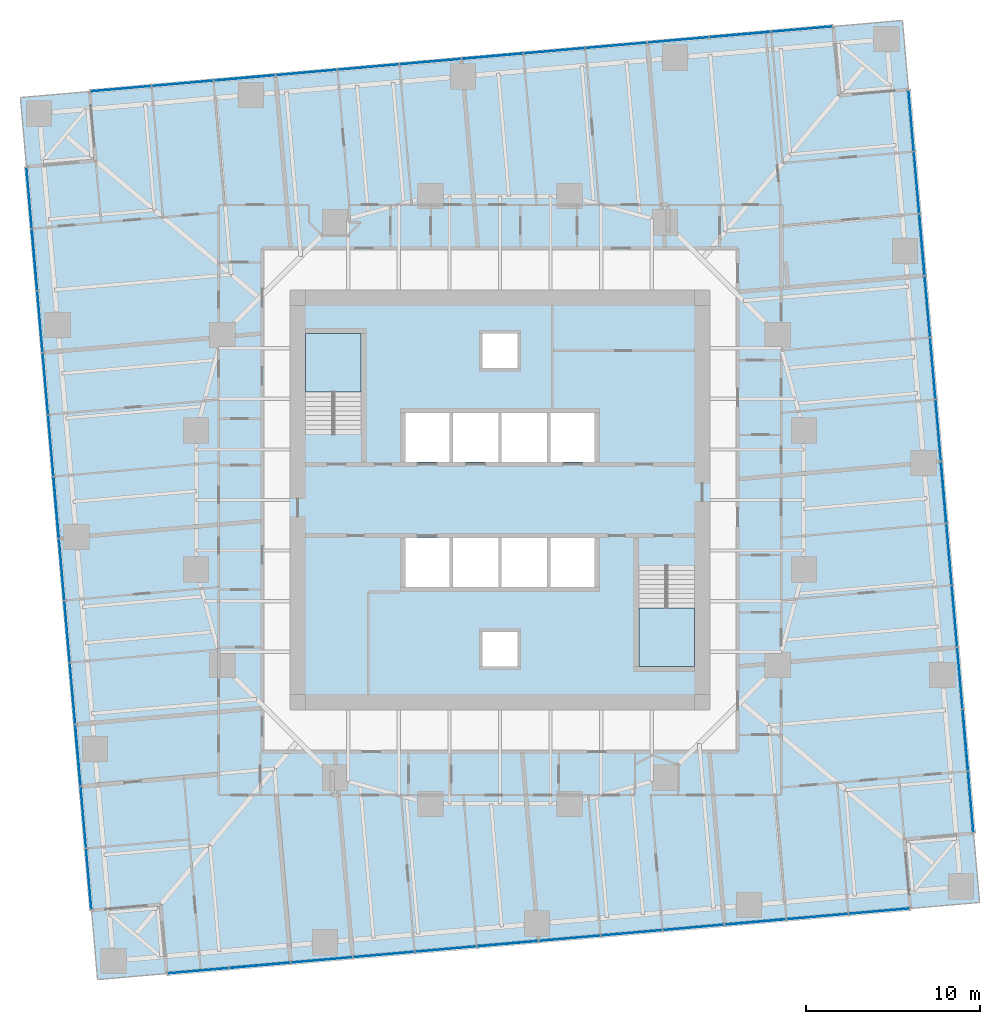
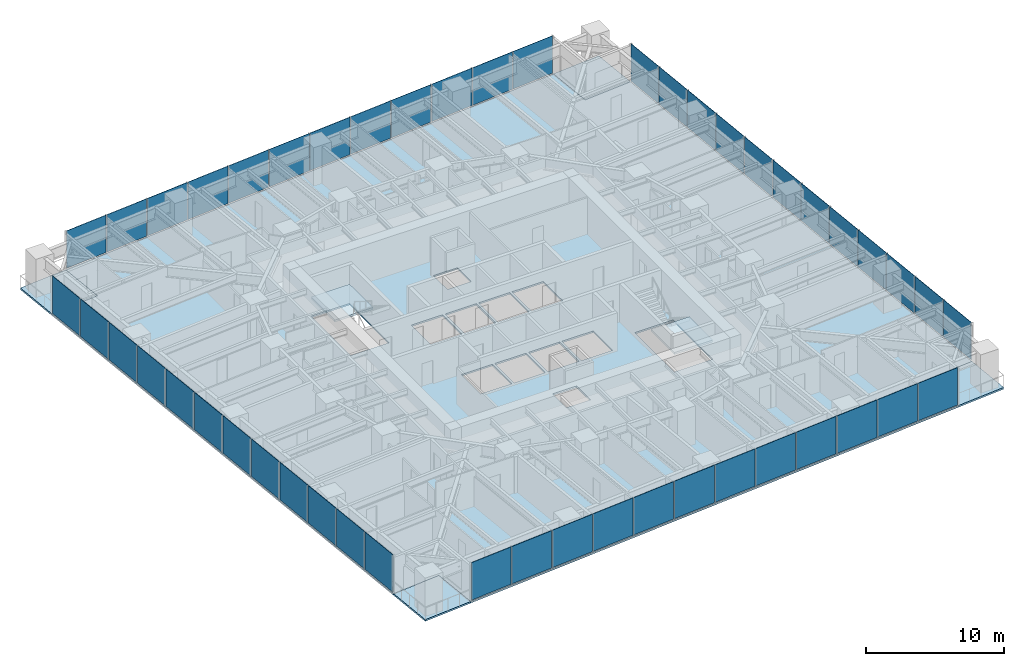
# One storey, part 7 of 14: 48 plates, 7 slabs, 6 elements without a shape of their own.
"""IFC4 building model written with IfcOpenShell, lengths in metres."""

import ifcopenshell
import ifcopenshell.guid

model = None  # the IFC model being written
_history = None  # IfcOwnerHistory: only IFC2X3 demands one
_inside = {}  # id of a spatial element -> (the spatial element, [elements in it])
_under = {}  # id of a project, library or spatial element -> (it, [spatial elements below it])
_declared = {}  # id of a project -> (the project, [libraries it declares])
_typed = {}  # id of a type object -> (the type object, [elements of that type])
_made_of = {}  # id of a material, layer set ... -> (it, [elements and type objects made of it])


def new_model(schema):
    """Start an empty IFC model of exactly this schema.

    Asked for "IFC4X3", IfcOpenShell would pick the latest addendum, in which some entities
    have other attributes; the version numbers below select the first issue.
    IFC2X3 requires an IfcOwnerHistory on every rooted entity: one is made here for all.
    """
    global model, _history
    if schema == "IFC4X3":
        model = ifcopenshell.file(schema_version=(4, 3, 0, 0))
    else:
        model = ifcopenshell.file(schema=schema)
    _inside.clear()
    _under.clear()
    _declared.clear()
    _typed.clear()
    _made_of.clear()
    _history = None
    if model.schema == "IFC2X3":
        org = make("IfcOrganization", Name="unknown")
        user = make(
            "IfcPersonAndOrganization",
            ThePerson=make("IfcPerson", FamilyName="unknown"),
            TheOrganization=org,
        )
        app = make(
            "IfcApplication",
            ApplicationDeveloper=org,
            Version="unknown",
            ApplicationFullName="unknown",
            ApplicationIdentifier="unknown",
        )
        _history = make(
            "IfcOwnerHistory",
            OwningUser=user,
            OwningApplication=app,
            ChangeAction="ADDED",
            CreationDate=0,
        )
    return model


def make(cls, **values):
    """One entity of the class cls with the attributes given. An attribute that is None is left unset."""
    return model.create_entity(
        cls, **{name: value for name, value in values.items() if value is not None}
    )


def rooted(cls, **values):
    """An entity with a GlobalId (a new one), such as an element, a storey or a relation."""
    return make(cls, GlobalId=ifcopenshell.guid.new(), OwnerHistory=_history, **values)


def si_unit(unit_type, name, prefix=None):
    """IfcSIUnit, for example si_unit("LENGTHUNIT", "METRE", prefix="MILLI")."""
    return make("IfcSIUnit", UnitType=unit_type, Prefix=prefix, Name=name)


def assignment(units):
    """IfcUnitAssignment: the units of a project."""
    return None if units is None else make("IfcUnitAssignment", Units=units)


def point(xyz):
    """IfcCartesianPoint."""
    return None if xyz is None else make("IfcCartesianPoint", Coordinates=xyz)


def direction(xyz):
    """IfcDirection."""
    return None if xyz is None else make("IfcDirection", DirectionRatios=xyz)


def frame(location, z_axis=None, x_axis=None):
    """IfcAxis2Placement3D, a coordinate frame: its origin and axes. An axis left out is left unset."""
    return make(
        "IfcAxis2Placement3D",
        Location=point(location),
        Axis=direction(z_axis),
        RefDirection=direction(x_axis),
    )


def frame_2d(location, x_axis=None):
    """IfcAxis2Placement2D, a coordinate frame in the plane: its origin and x axis."""
    return make(
        "IfcAxis2Placement2D", Location=point(location), RefDirection=direction(x_axis)
    )


def origin():
    """The frame at (0, 0, 0) with its axes left unset."""
    return frame((0.0, 0.0, 0.0))


def origin_2d():
    """The frame at (0, 0) in the plane with its x axis left unset."""
    return frame_2d((0.0, 0.0))


def place(relative_to, where):
    """IfcLocalPlacement: puts the frame where relative to a parent placement (None: the world)."""
    return make(
        "IfcLocalPlacement", PlacementRelTo=relative_to, RelativePlacement=where
    )


def context(
    kind, dimensions, precision=None, world=None, true_north=None, identifier=None
):
    """IfcGeometricRepresentationContext, for example the 3D "Model" context."""
    return make(
        "IfcGeometricRepresentationContext",
        ContextIdentifier=identifier,
        ContextType=kind,
        CoordinateSpaceDimension=dimensions,
        Precision=precision,
        WorldCoordinateSystem=world,
        TrueNorth=true_north,
    )


def subcontext(parent, identifier, kind, view, scale=None):
    """IfcGeometricRepresentationSubContext, for example "Body" below "Model"."""
    return make(
        "IfcGeometricRepresentationSubContext",
        ContextIdentifier=identifier,
        ContextType=kind,
        ParentContext=parent,
        TargetScale=scale,
        TargetView=view,
    )


def project(units=None, contexts=None):
    """IfcProject with its units and contexts."""
    return rooted(
        "IfcProject",
        Name="project",
        RepresentationContexts=contexts,
        UnitsInContext=assignment(units),
    )


def spatial(cls, under=None, at=None, **own):
    """A site, building, storey or space (cls), placed at a placement, below another one or the project."""
    s = rooted(cls, ObjectPlacement=at, **own)
    if under is not None:
        _under.setdefault(under.id(), (under, []))[1].append(s)
    return s


def polyline(points):
    """IfcPolyline through the points."""
    return make("IfcPolyline", Points=[point(p) for p in points])


def profile(cls, at=None, kind="AREA", **sizes):
    """A parametric profile (cls). Its sizes go by their IFC names, for example OverallWidth=200.0."""
    return make(cls, ProfileType=kind, Position=at, **sizes)


def rectangle(**sizes):
    """IfcRectangleProfileDef."""
    return profile("IfcRectangleProfileDef", **sizes)


def outline(outer, holes=None, kind="AREA"):
    """IfcArbitraryClosedProfileDef: a profile drawn as a closed curve; with holes, ...WithVoids."""
    if holes is None:
        return make("IfcArbitraryClosedProfileDef", ProfileType=kind, OuterCurve=outer)
    return make(
        "IfcArbitraryProfileDefWithVoids",
        ProfileType=kind,
        OuterCurve=outer,
        InnerCurves=holes,
    )


def extrude(swept, where, along, depth):
    """IfcExtrudedAreaSolid: the profile swept, set in the frame where, extruded along a direction by depth."""
    return make(
        "IfcExtrudedAreaSolid",
        SweptArea=swept,
        Position=where,
        ExtrudedDirection=direction(along),
        Depth=depth,
    )


def shape(context_of_items, identifier, shape_type, items):
    """IfcShapeRepresentation: the items that make up one representation, for example the "Body"."""
    return make(
        "IfcShapeRepresentation",
        ContextOfItems=context_of_items,
        RepresentationIdentifier=identifier,
        RepresentationType=shape_type,
        Items=items,
    )


def material(Name=None, Category=None):
    """IfcMaterial."""
    return make("IfcMaterial", Name=Name, Category=Category)


def layer(
    of_material, thickness, ventilated=None, Name=None, Category=None, Priority=None
):
    """IfcMaterialLayer: one layer of a wall or slab, of a material (None: an air gap)."""
    return make(
        "IfcMaterialLayer",
        Material=of_material,
        LayerThickness=thickness,
        IsVentilated=ventilated,
        Name=Name,
        Category=Category,
        Priority=Priority,
    )


def layer_set(layers, Name=None):
    """IfcMaterialLayerSet."""
    return make("IfcMaterialLayerSet", MaterialLayers=layers, LayerSetName=Name)


def made_of(thing, what):
    """Note that an element or type object is made of a material, layer set ...; save() writes the relation."""
    if what is not None:
        _made_of.setdefault(what.id(), (what, []))[1].append(thing)
    return thing


def type_object(cls, material=None, **own):
    """A type object (cls), such as IfcWallType, which elements share."""
    return made_of(rooted(cls, **own), material)


def element(
    cls,
    number,
    at=None,
    inside=None,
    cuts=None,
    type_object=None,
    material=None,
    context=None,
    identifier="Body",
    shape_type=None,
    held_by="IfcProductDefinitionShape",
    body=None,
    shapes=None,
    **own,
):
    """One element of the class cls, such as IfcWall. Its Tag is "e" and its number.

    at: its placement. inside: the storey or other place that contains it. cuts: it is an
    opening in that element (IfcRelVoidsElement). A single representation is given by context,
    identifier, shape_type and body (its items); several are given by shapes. held_by: the class
    of the entity that holds the representations. save() writes the other relations.
    """
    e = rooted(cls, Tag="e%d" % number, ObjectPlacement=at, **own)
    if body is not None:
        shapes = [shape(context, identifier, shape_type, body)]
    if shapes is not None:
        e.Representation = make(held_by, Representations=shapes)
    if inside is not None:
        _inside.setdefault(inside.id(), (inside, []))[1].append(e)
    if cuts is not None:
        rooted(
            "IfcRelVoidsElement", RelatingBuildingElement=cuts, RelatedOpeningElement=e
        )
    if type_object is not None:
        _typed.setdefault(type_object.id(), (type_object, []))[1].append(e)
    return made_of(e, material)


def aggregate(whole, parts):
    """IfcRelAggregates: a whole, such as a stair, and the parts it consists of."""
    return rooted("IfcRelAggregates", RelatingObject=whole, RelatedObjects=parts)


def save(model, path):
    """Write the relations noted so far, then the file.

    IfcRelAggregates (storeys below a building ...), IfcRelContainedInSpatialStructure (elements
    in a storey), IfcRelDefinesByType, IfcRelAssociatesMaterial and IfcRelDeclares: one each for
    every whole, place, type object, material and project.
    """
    for whole, parts in _under.values():
        aggregate(whole, parts)
    for where, things in _inside.values():
        rooted(
            "IfcRelContainedInSpatialStructure",
            RelatedElements=things,
            RelatingStructure=where,
        )
    for kind, things in _typed.values():
        rooted("IfcRelDefinesByType", RelatedObjects=things, RelatingType=kind)
    for what, things in _made_of.values():
        rooted("IfcRelAssociatesMaterial", RelatedObjects=things, RelatingMaterial=what)
    for by, libraries in _declared.values():
        rooted("IfcRelDeclares", RelatingContext=by, RelatedDefinitions=libraries)
    model.write(path)


model = new_model("IFC4")

# Units and contexts
model_context = context("Model", 3, precision=1e-05, world=origin(), true_north=direction((0.0, 1.0)))
body_context = subcontext(model_context, "Body", "Model", "MODEL_VIEW")
ifc_project = project(units=[si_unit("LENGTHUNIT", "METRE"), si_unit("AREAUNIT", "SQUARE_METRE"), si_unit("VOLUMEUNIT", "CUBIC_METRE"), si_unit("PLANEANGLEUNIT", "RADIAN"), si_unit("MASSUNIT", "GRAM", prefix="KILO")], contexts=[model_context])

# Site, building, storey
site_placement = place(None, origin())
site = spatial("IfcSite", under=ifc_project, at=site_placement, CompositionType="ELEMENT")
building_placement = place(site_placement, origin())
building = spatial("IfcBuilding", under=site, at=building_placement, Name="Torsade Residences", CompositionType="ELEMENT")
storey_placement = place(building_placement, frame((0.0, 0.0, 64.199951171875)))
storey = spatial("IfcBuildingStorey", under=building, at=storey_placement, Name="L17", CompositionType="ELEMENT", Elevation=64.199951171875)

# Slab
ifc_material_1 = material(Name="Concrete 40 MPa", Category="concrete")
ifc_layer_1 = layer(ifc_material_1, 0.14990234375)
ifc_layer_set_1 = layer_set([ifc_layer_1], Name="Concrete 40 MPa")
slab_type_1 = type_object("IfcSlabType", Name="COMPOSITE FLOOR SLAB 150", PredefinedType="FLOOR", material=ifc_layer_set_1)
slab_1_placement = place(storey_placement, frame((0.0, 0.0, -0.14990234375)))
element("IfcSlab", 1, at=slab_1_placement, inside=storey, type_object=slab_type_1, Name="Floor slab L17", PredefinedType="FLOOR", context=body_context, shape_type="SweptSolid", body=[
    extrude(outline(polyline([(20.80419921875, 2.72314453125), (63.640625, 6.470947265625), (63.2919921875, 10.45556640625), (67.27685546875, 10.80419921875), (63.529052734375, 53.640625), (59.54443359375, 53.2919921875), (59.19580078125, 57.27685546875), (16.359375, 53.529052734375), (16.7080078125, 49.54443359375), (12.72314453125, 49.19580078125), (16.470947265625, 6.359375), (20.45556640625, 6.7080078125), (20.80419921875, 2.72314453125)]), holes=[polyline([(51.199951171875, 20.39990234375), (51.199951171875, 26.1201171875), (48.0, 26.1201171875), (48.0, 20.39990234375), (51.199951171875, 20.39990234375)]), polyline([(45.5, 27.800048828125), (42.89990234375, 27.800048828125), (42.89990234375, 25.0), (45.5, 25.0), (45.5, 27.800048828125)]), polyline([(45.5, 32.199951171875), (45.5, 35.0), (42.89990234375, 35.0), (42.89990234375, 32.199951171875), (45.5, 32.199951171875)]), polyline([(42.699951171875, 25.0), (42.699951171875, 27.800048828125), (40.10009765625, 27.800048828125), (40.10009765625, 25.0), (42.699951171875, 25.0)]), polyline([(42.699951171875, 32.199951171875), (42.699951171875, 35.0), (40.10009765625, 35.0), (40.10009765625, 32.199951171875), (42.699951171875, 32.199951171875)]), polyline([(41.0, 22.39990234375), (39.0, 22.39990234375), (39.0, 20.39990234375), (41.0, 20.39990234375), (41.0, 22.39990234375)]), polyline([(41.0, 37.60009765625), (41.0, 39.60009765625), (39.0, 39.60009765625), (39.0, 37.60009765625), (41.0, 37.60009765625)]), polyline([(39.89990234375, 25.0), (39.89990234375, 27.800048828125), (37.300048828125, 27.800048828125), (37.300048828125, 25.0), (39.89990234375, 25.0)]), polyline([(39.89990234375, 35.0), (37.300048828125, 35.0), (37.300048828125, 32.199951171875), (39.89990234375, 32.199951171875), (39.89990234375, 35.0)]), polyline([(37.10009765625, 27.800048828125), (34.5, 27.800048828125), (34.5, 25.0), (37.10009765625, 25.0), (37.10009765625, 27.800048828125)]), polyline([(37.10009765625, 32.199951171875), (37.10009765625, 35.0), (34.5, 35.0), (34.5, 32.199951171875), (37.10009765625, 32.199951171875)]), polyline([(32.0, 33.8798828125), (32.0, 39.60009765625), (28.800048828125, 39.60009765625), (28.800048828125, 33.8798828125), (32.0, 33.8798828125)])]), origin(), (0.0, 0.0, 1.0), 0.14990234375),
])

# Curtain wall, plates
ifc_material_2 = material(Name="Aluminium and glass", Category="aluminium")
curtain_wall_type = type_object("IfcCurtainWallType", Name="FRITTED GLASS CURTAIN WALL LOW ZONE", PredefinedType="NOTDEFINED", material=ifc_material_2)
curtain_wall_1_placement = place(storey_placement, origin())
curtain_wall_1 = element("IfcCurtainWall", 2, at=curtain_wall_1_placement, inside=storey, type_object=curtain_wall_type, Name="Curtain wall L17 face 1", PredefinedType="NOTDEFINED")
ifc_material_3 = material(Name="Laminated glass", Category="glass")
ifc_layer_2 = layer(ifc_material_3, 0.031982421875)
ifc_layer_set_2 = layer_set([ifc_layer_2], Name="Laminated glass")
plate_type_1 = type_object("IfcPlateType", Name="FRITTED GLASS PANEL", PredefinedType="CURTAIN_PANEL", material=ifc_layer_set_2)
plate_1_placement = place(storey_placement, frame((22.605224609375, 2.880859375, 0.10009765625), z_axis=(0.0, 0.0, 1.0), x_axis=(0.996194697964, 0.087155744208, 0.0)))
plate_1 = element("IfcPlate", 3, at=plate_1_placement, type_object=plate_type_1, Name="Panel 1", PredefinedType="CURTAIN_PANEL", context=body_context, shape_type="SweptSolid", body=[
    extrude(rectangle(XDim=3.48583984375, YDim=0.031982421875, at=origin_2d()), origin(), (0.0, 0.0, 1.0), 3.300048828125),
])
plate_2_placement = place(storey_placement, frame((29.728515625, 3.50390625, 0.10009765625), z_axis=(0.0, 0.0, 1.0), x_axis=(0.996194697964, 0.087155744208, 0.0)))
plate_2 = element("IfcPlate", 4, at=plate_2_placement, type_object=plate_type_1, Name="Panel 3", PredefinedType="CURTAIN_PANEL", context=body_context, shape_type="SweptSolid", body=[
    extrude(rectangle(XDim=3.518310546875, YDim=0.031982421875, at=origin_2d()), origin(), (0.0, 0.0, 1.0), 3.300048828125),
])
plate_3_placement = place(storey_placement, frame((33.29833984375, 3.816162109375, 0.10009765625), z_axis=(0.0, 0.0, 1.0), x_axis=(0.996194697964, 0.087155744208, 0.0)))
plate_3 = element("IfcPlate", 5, at=plate_3_placement, type_object=plate_type_1, Name="Panel 4", PredefinedType="CURTAIN_PANEL", context=body_context, shape_type="SweptSolid", body=[
    extrude(rectangle(XDim=3.518310546875, YDim=0.031982421875, at=origin_2d()), origin(), (0.0, 0.0, 1.0), 3.300048828125),
])
plate_4_placement = place(storey_placement, frame((36.867919921875, 4.128662109375, 0.10009765625), z_axis=(0.0, 0.0, 1.0), x_axis=(0.996194697964, 0.087155744208, 0.0)))
plate_4 = element("IfcPlate", 6, at=plate_4_placement, type_object=plate_type_1, Name="Panel 5", PredefinedType="CURTAIN_PANEL", context=body_context, shape_type="SweptSolid", body=[
    extrude(rectangle(XDim=3.518310546875, YDim=0.031982421875, at=origin_2d()), origin(), (0.0, 0.0, 1.0), 3.300048828125),
])
plate_5_placement = place(storey_placement, frame((44.00732421875, 4.753173828125, 0.10009765625), z_axis=(0.0, 0.0, 1.0), x_axis=(0.996194697964, 0.087155744208, 0.0)))
plate_5 = element("IfcPlate", 7, at=plate_5_placement, type_object=plate_type_1, Name="Panel 7", PredefinedType="CURTAIN_PANEL", context=body_context, shape_type="SweptSolid", body=[
    extrude(rectangle(XDim=3.518310546875, YDim=0.031982421875, at=origin_2d()), origin(), (0.0, 0.0, 1.0), 3.300048828125),
])
plate_6_placement = place(storey_placement, frame((47.576904296875, 5.0654296875, 0.10009765625), z_axis=(0.0, 0.0, 1.0), x_axis=(0.996194697964, 0.087155744208, 0.0)))
plate_6 = element("IfcPlate", 8, at=plate_6_placement, type_object=plate_type_1, Name="Panel 8", PredefinedType="CURTAIN_PANEL", context=body_context, shape_type="SweptSolid", body=[
    extrude(rectangle(XDim=3.518310546875, YDim=0.031982421875, at=origin_2d()), origin(), (0.0, 0.0, 1.0), 3.300048828125),
])
plate_7_placement = place(storey_placement, frame((51.146728515625, 5.377685546875, 0.10009765625), z_axis=(0.0, 0.0, 1.0), x_axis=(0.996194697964, 0.087155744208, 0.0)))
plate_7 = element("IfcPlate", 9, at=plate_7_placement, type_object=plate_type_1, Name="Panel 9", PredefinedType="CURTAIN_PANEL", context=body_context, shape_type="SweptSolid", body=[
    extrude(rectangle(XDim=3.518310546875, YDim=0.031982421875, at=origin_2d()), origin(), (0.0, 0.0, 1.0), 3.300048828125),
])
plate_8_placement = place(storey_placement, frame((58.2861328125, 6.00244140625, 0.10009765625), z_axis=(0.0, 0.0, 1.0), x_axis=(0.996194697964, 0.087155744208, 0.0)))
plate_8 = element("IfcPlate", 10, at=plate_8_placement, type_object=plate_type_1, Name="Panel 11", PredefinedType="CURTAIN_PANEL", context=body_context, shape_type="SweptSolid", body=[
    extrude(rectangle(XDim=3.518310546875, YDim=0.031982421875, at=origin_2d()), origin(), (0.0, 0.0, 1.0), 3.300048828125),
])
plate_9_placement = place(storey_placement, frame((61.839599609375, 6.313232421875, 0.10009765625), z_axis=(0.0, 0.0, 1.0), x_axis=(0.996194697964, 0.087155744208, 0.0)))
plate_9 = element("IfcPlate", 11, at=plate_9_placement, type_object=plate_type_1, Name="Panel 12", PredefinedType="CURTAIN_PANEL", context=body_context, shape_type="SweptSolid", body=[
    extrude(rectangle(XDim=3.48583984375, YDim=0.031982421875, at=origin_2d()), origin(), (0.0, 0.0, 1.0), 3.300048828125),
])

curtain_wall_2_placement = place(storey_placement, origin())
curtain_wall_2 = element("IfcCurtainWall", 12, at=curtain_wall_2_placement, inside=storey, type_object=curtain_wall_type, Name="Curtain wall L17 face 4", PredefinedType="NOTDEFINED")
plate_10_placement = place(storey_placement, frame((67.119140625, 12.605224609375, 0.10009765625), z_axis=(0.0, 0.0, 1.0), x_axis=(-0.087155744208, 0.996194697964, 0.0)))
plate_10 = element("IfcPlate", 13, at=plate_10_placement, type_object=plate_type_1, Name="Panel 1", PredefinedType="CURTAIN_PANEL", context=body_context, shape_type="SweptSolid", body=[
    extrude(rectangle(XDim=3.48583984375, YDim=0.031982421875, at=origin_2d()), origin(), (0.0, 0.0, 1.0), 3.300048828125),
])
plate_11_placement = place(storey_placement, frame((66.49609375, 19.728515625, 0.10009765625), z_axis=(0.0, 0.0, 1.0), x_axis=(-0.087155744208, 0.996194697964, 0.0)))
plate_11 = element("IfcPlate", 14, at=plate_11_placement, type_object=plate_type_1, Name="Panel 3", PredefinedType="CURTAIN_PANEL", context=body_context, shape_type="SweptSolid", body=[
    extrude(rectangle(XDim=3.518310546875, YDim=0.031982421875, at=origin_2d()), origin(), (0.0, 0.0, 1.0), 3.300048828125),
])
plate_12_placement = place(storey_placement, frame((66.183837890625, 23.29833984375, 0.10009765625), z_axis=(0.0, 0.0, 1.0), x_axis=(-0.087155744208, 0.996194697964, 0.0)))
plate_12 = element("IfcPlate", 15, at=plate_12_placement, type_object=plate_type_1, Name="Panel 4", PredefinedType="CURTAIN_PANEL", context=body_context, shape_type="SweptSolid", body=[
    extrude(rectangle(XDim=3.518310546875, YDim=0.031982421875, at=origin_2d()), origin(), (0.0, 0.0, 1.0), 3.300048828125),
])
plate_13_placement = place(storey_placement, frame((65.871337890625, 26.867919921875, 0.10009765625), z_axis=(0.0, 0.0, 1.0), x_axis=(-0.087155744208, 0.996194697964, 0.0)))
plate_13 = element("IfcPlate", 16, at=plate_13_placement, type_object=plate_type_1, Name="Panel 5", PredefinedType="CURTAIN_PANEL", context=body_context, shape_type="SweptSolid", body=[
    extrude(rectangle(XDim=3.518310546875, YDim=0.031982421875, at=origin_2d()), origin(), (0.0, 0.0, 1.0), 3.300048828125),
])
plate_14_placement = place(storey_placement, frame((65.246826171875, 34.00732421875, 0.10009765625), z_axis=(0.0, 0.0, 1.0), x_axis=(-0.087155744208, 0.996194697964, 0.0)))
plate_14 = element("IfcPlate", 17, at=plate_14_placement, type_object=plate_type_1, Name="Panel 7", PredefinedType="CURTAIN_PANEL", context=body_context, shape_type="SweptSolid", body=[
    extrude(rectangle(XDim=3.518310546875, YDim=0.031982421875, at=origin_2d()), origin(), (0.0, 0.0, 1.0), 3.300048828125),
])
plate_15_placement = place(storey_placement, frame((64.9345703125, 37.576904296875, 0.10009765625), z_axis=(0.0, 0.0, 1.0), x_axis=(-0.087155744208, 0.996194697964, 0.0)))
plate_15 = element("IfcPlate", 18, at=plate_15_placement, type_object=plate_type_1, Name="Panel 8", PredefinedType="CURTAIN_PANEL", context=body_context, shape_type="SweptSolid", body=[
    extrude(rectangle(XDim=3.518310546875, YDim=0.031982421875, at=origin_2d()), origin(), (0.0, 0.0, 1.0), 3.300048828125),
])
plate_16_placement = place(storey_placement, frame((64.622314453125, 41.146728515625, 0.10009765625), z_axis=(0.0, 0.0, 1.0), x_axis=(-0.087155744208, 0.996194697964, 0.0)))
plate_16 = element("IfcPlate", 19, at=plate_16_placement, type_object=plate_type_1, Name="Panel 9", PredefinedType="CURTAIN_PANEL", context=body_context, shape_type="SweptSolid", body=[
    extrude(rectangle(XDim=3.518310546875, YDim=0.031982421875, at=origin_2d()), origin(), (0.0, 0.0, 1.0), 3.300048828125),
])
plate_17_placement = place(storey_placement, frame((63.99755859375, 48.2861328125, 0.10009765625), z_axis=(0.0, 0.0, 1.0), x_axis=(-0.087155744208, 0.996194697964, 0.0)))
plate_17 = element("IfcPlate", 20, at=plate_17_placement, type_object=plate_type_1, Name="Panel 11", PredefinedType="CURTAIN_PANEL", context=body_context, shape_type="SweptSolid", body=[
    extrude(rectangle(XDim=3.518310546875, YDim=0.031982421875, at=origin_2d()), origin(), (0.0, 0.0, 1.0), 3.300048828125),
])
plate_18_placement = place(storey_placement, frame((63.686767578125, 51.839599609375, 0.10009765625), z_axis=(0.0, 0.0, 1.0), x_axis=(-0.087155744208, 0.996194697964, 0.0)))
plate_18 = element("IfcPlate", 21, at=plate_18_placement, type_object=plate_type_1, Name="Panel 12", PredefinedType="CURTAIN_PANEL", context=body_context, shape_type="SweptSolid", body=[
    extrude(rectangle(XDim=3.48583984375, YDim=0.031982421875, at=origin_2d()), origin(), (0.0, 0.0, 1.0), 3.300048828125),
])

curtain_wall_3_placement = place(storey_placement, origin())
curtain_wall_3 = element("IfcCurtainWall", 22, at=curtain_wall_3_placement, inside=storey, type_object=curtain_wall_type, Name="Curtain wall L17 face 7", PredefinedType="NOTDEFINED")
plate_19_placement = place(storey_placement, frame((57.394775390625, 57.119140625, 0.10009765625), z_axis=(0.0, 0.0, 1.0), x_axis=(-0.996194697964, -0.087155744208, 0.0)))
plate_19 = element("IfcPlate", 23, at=plate_19_placement, type_object=plate_type_1, Name="Panel 1", PredefinedType="CURTAIN_PANEL", context=body_context, shape_type="SweptSolid", body=[
    extrude(rectangle(XDim=3.48583984375, YDim=0.031982421875, at=origin_2d()), origin(), (0.0, 0.0, 1.0), 3.300048828125),
])
plate_20_placement = place(storey_placement, frame((50.271484375, 56.49609375, 0.10009765625), z_axis=(0.0, 0.0, 1.0), x_axis=(-0.996194697964, -0.087155744208, 0.0)))
plate_20 = element("IfcPlate", 24, at=plate_20_placement, type_object=plate_type_1, Name="Panel 3", PredefinedType="CURTAIN_PANEL", context=body_context, shape_type="SweptSolid", body=[
    extrude(rectangle(XDim=3.518310546875, YDim=0.031982421875, at=origin_2d()), origin(), (0.0, 0.0, 1.0), 3.300048828125),
])
plate_21_placement = place(storey_placement, frame((46.70166015625, 56.183837890625, 0.10009765625), z_axis=(0.0, 0.0, 1.0), x_axis=(-0.996194697964, -0.087155744208, 0.0)))
plate_21 = element("IfcPlate", 25, at=plate_21_placement, type_object=plate_type_1, Name="Panel 4", PredefinedType="CURTAIN_PANEL", context=body_context, shape_type="SweptSolid", body=[
    extrude(rectangle(XDim=3.518310546875, YDim=0.031982421875, at=origin_2d()), origin(), (0.0, 0.0, 1.0), 3.300048828125),
])
plate_22_placement = place(storey_placement, frame((43.132080078125, 55.871337890625, 0.10009765625), z_axis=(0.0, 0.0, 1.0), x_axis=(-0.996194697964, -0.087155744208, 0.0)))
plate_22 = element("IfcPlate", 26, at=plate_22_placement, type_object=plate_type_1, Name="Panel 5", PredefinedType="CURTAIN_PANEL", context=body_context, shape_type="SweptSolid", body=[
    extrude(rectangle(XDim=3.518310546875, YDim=0.031982421875, at=origin_2d()), origin(), (0.0, 0.0, 1.0), 3.300048828125),
])
plate_23_placement = place(storey_placement, frame((35.99267578125, 55.246826171875, 0.10009765625), z_axis=(0.0, 0.0, 1.0), x_axis=(-0.996194697964, -0.087155744208, 0.0)))
plate_23 = element("IfcPlate", 27, at=plate_23_placement, type_object=plate_type_1, Name="Panel 7", PredefinedType="CURTAIN_PANEL", context=body_context, shape_type="SweptSolid", body=[
    extrude(rectangle(XDim=3.518310546875, YDim=0.031982421875, at=origin_2d()), origin(), (0.0, 0.0, 1.0), 3.300048828125),
])
plate_24_placement = place(storey_placement, frame((32.423095703125, 54.9345703125, 0.10009765625), z_axis=(0.0, 0.0, 1.0), x_axis=(-0.996194697964, -0.087155744208, 0.0)))
plate_24 = element("IfcPlate", 28, at=plate_24_placement, type_object=plate_type_1, Name="Panel 8", PredefinedType="CURTAIN_PANEL", context=body_context, shape_type="SweptSolid", body=[
    extrude(rectangle(XDim=3.518310546875, YDim=0.031982421875, at=origin_2d()), origin(), (0.0, 0.0, 1.0), 3.300048828125),
])
plate_25_placement = place(storey_placement, frame((28.853271484375, 54.622314453125, 0.10009765625), z_axis=(0.0, 0.0, 1.0), x_axis=(-0.996194697964, -0.087155744208, 0.0)))
plate_25 = element("IfcPlate", 29, at=plate_25_placement, type_object=plate_type_1, Name="Panel 9", PredefinedType="CURTAIN_PANEL", context=body_context, shape_type="SweptSolid", body=[
    extrude(rectangle(XDim=3.518310546875, YDim=0.031982421875, at=origin_2d()), origin(), (0.0, 0.0, 1.0), 3.300048828125),
])
plate_26_placement = place(storey_placement, frame((21.7138671875, 53.99755859375, 0.10009765625), z_axis=(0.0, 0.0, 1.0), x_axis=(-0.996194697964, -0.087155744208, 0.0)))
plate_26 = element("IfcPlate", 30, at=plate_26_placement, type_object=plate_type_1, Name="Panel 11", PredefinedType="CURTAIN_PANEL", context=body_context, shape_type="SweptSolid", body=[
    extrude(rectangle(XDim=3.518310546875, YDim=0.031982421875, at=origin_2d()), origin(), (0.0, 0.0, 1.0), 3.300048828125),
])
plate_27_placement = place(storey_placement, frame((18.160400390625, 53.686767578125, 0.10009765625), z_axis=(0.0, 0.0, 1.0), x_axis=(-0.996194697964, -0.087155744208, 0.0)))
plate_27 = element("IfcPlate", 31, at=plate_27_placement, type_object=plate_type_1, Name="Panel 12", PredefinedType="CURTAIN_PANEL", context=body_context, shape_type="SweptSolid", body=[
    extrude(rectangle(XDim=3.48583984375, YDim=0.031982421875, at=origin_2d()), origin(), (0.0, 0.0, 1.0), 3.300048828125),
])

curtain_wall_4_placement = place(storey_placement, origin())
curtain_wall_4 = element("IfcCurtainWall", 32, at=curtain_wall_4_placement, inside=storey, type_object=curtain_wall_type, Name="Curtain wall L17 face 10", PredefinedType="NOTDEFINED")
plate_28_placement = place(storey_placement, frame((12.880859375, 47.394775390625, 0.10009765625), z_axis=(0.0, 0.0, 1.0), x_axis=(0.087155744208, -0.996194697964, 0.0)))
plate_28 = element("IfcPlate", 33, at=plate_28_placement, type_object=plate_type_1, Name="Panel 1", PredefinedType="CURTAIN_PANEL", context=body_context, shape_type="SweptSolid", body=[
    extrude(rectangle(XDim=3.48583984375, YDim=0.031982421875, at=origin_2d()), origin(), (0.0, 0.0, 1.0), 3.300048828125),
])
plate_29_placement = place(storey_placement, frame((13.50390625, 40.271484375, 0.10009765625), z_axis=(0.0, 0.0, 1.0), x_axis=(0.087155744208, -0.996194697964, 0.0)))
plate_29 = element("IfcPlate", 34, at=plate_29_placement, type_object=plate_type_1, Name="Panel 3", PredefinedType="CURTAIN_PANEL", context=body_context, shape_type="SweptSolid", body=[
    extrude(rectangle(XDim=3.518310546875, YDim=0.031982421875, at=origin_2d()), origin(), (0.0, 0.0, 1.0), 3.300048828125),
])
plate_30_placement = place(storey_placement, frame((13.816162109375, 36.70166015625, 0.10009765625), z_axis=(0.0, 0.0, 1.0), x_axis=(0.087155744208, -0.996194697964, 0.0)))
plate_30 = element("IfcPlate", 35, at=plate_30_placement, type_object=plate_type_1, Name="Panel 4", PredefinedType="CURTAIN_PANEL", context=body_context, shape_type="SweptSolid", body=[
    extrude(rectangle(XDim=3.518310546875, YDim=0.031982421875, at=origin_2d()), origin(), (0.0, 0.0, 1.0), 3.300048828125),
])
plate_31_placement = place(storey_placement, frame((14.128662109375, 33.132080078125, 0.10009765625), z_axis=(0.0, 0.0, 1.0), x_axis=(0.087155744208, -0.996194697964, 0.0)))
plate_31 = element("IfcPlate", 36, at=plate_31_placement, type_object=plate_type_1, Name="Panel 5", PredefinedType="CURTAIN_PANEL", context=body_context, shape_type="SweptSolid", body=[
    extrude(rectangle(XDim=3.518310546875, YDim=0.031982421875, at=origin_2d()), origin(), (0.0, 0.0, 1.0), 3.300048828125),
])
plate_32_placement = place(storey_placement, frame((14.753173828125, 25.99267578125, 0.10009765625), z_axis=(0.0, 0.0, 1.0), x_axis=(0.087155744208, -0.996194697964, 0.0)))
plate_32 = element("IfcPlate", 37, at=plate_32_placement, type_object=plate_type_1, Name="Panel 7", PredefinedType="CURTAIN_PANEL", context=body_context, shape_type="SweptSolid", body=[
    extrude(rectangle(XDim=3.518310546875, YDim=0.031982421875, at=origin_2d()), origin(), (0.0, 0.0, 1.0), 3.300048828125),
])
plate_33_placement = place(storey_placement, frame((15.0654296875, 22.423095703125, 0.10009765625), z_axis=(0.0, 0.0, 1.0), x_axis=(0.087155744208, -0.996194697964, 0.0)))
plate_33 = element("IfcPlate", 38, at=plate_33_placement, type_object=plate_type_1, Name="Panel 8", PredefinedType="CURTAIN_PANEL", context=body_context, shape_type="SweptSolid", body=[
    extrude(rectangle(XDim=3.518310546875, YDim=0.031982421875, at=origin_2d()), origin(), (0.0, 0.0, 1.0), 3.300048828125),
])
plate_34_placement = place(storey_placement, frame((15.377685546875, 18.853271484375, 0.10009765625), z_axis=(0.0, 0.0, 1.0), x_axis=(0.087155744208, -0.996194697964, 0.0)))
plate_34 = element("IfcPlate", 39, at=plate_34_placement, type_object=plate_type_1, Name="Panel 9", PredefinedType="CURTAIN_PANEL", context=body_context, shape_type="SweptSolid", body=[
    extrude(rectangle(XDim=3.518310546875, YDim=0.031982421875, at=origin_2d()), origin(), (0.0, 0.0, 1.0), 3.300048828125),
])
plate_35_placement = place(storey_placement, frame((16.00244140625, 11.7138671875, 0.10009765625), z_axis=(0.0, 0.0, 1.0), x_axis=(0.087155744208, -0.996194697964, 0.0)))
plate_35 = element("IfcPlate", 40, at=plate_35_placement, type_object=plate_type_1, Name="Panel 11", PredefinedType="CURTAIN_PANEL", context=body_context, shape_type="SweptSolid", body=[
    extrude(rectangle(XDim=3.518310546875, YDim=0.031982421875, at=origin_2d()), origin(), (0.0, 0.0, 1.0), 3.300048828125),
])
plate_36_placement = place(storey_placement, frame((16.313232421875, 8.160400390625, 0.10009765625), z_axis=(0.0, 0.0, 1.0), x_axis=(0.087155744208, -0.996194697964, 0.0)))
plate_36 = element("IfcPlate", 41, at=plate_36_placement, type_object=plate_type_1, Name="Panel 12", PredefinedType="CURTAIN_PANEL", context=body_context, shape_type="SweptSolid", body=[
    extrude(rectangle(XDim=3.48583984375, YDim=0.031982421875, at=origin_2d()), origin(), (0.0, 0.0, 1.0), 3.300048828125),
])

# Plate
ifc_material_4 = material(Name="Laminated glass", Category="glass")
ifc_layer_3 = layer(ifc_material_4, 0.0400390625)
ifc_layer_set_3 = layer_set([ifc_layer_3], Name="Laminated glass")
plate_type_2 = type_object("IfcPlateType", Name="OPERABLE VENT PANEL", PredefinedType="CURTAIN_PANEL", material=ifc_layer_set_3)
plate_37_placement = place(storey_placement, frame((26.158935546875, 3.191650390625, 0.10009765625), z_axis=(0.0, 0.0, 1.0), x_axis=(0.996194697964, 0.087155744208, 0.0)))
plate_37 = element("IfcPlate", 42, at=plate_37_placement, type_object=plate_type_2, Name="Panel 2", PredefinedType="CURTAIN_PANEL", context=body_context, shape_type="SweptSolid", body=[
    extrude(rectangle(XDim=3.518310546875, YDim=0.0400390625, at=origin_2d()), origin(), (0.0, 0.0, 1.0), 3.300048828125),
])

plate_38_placement = place(storey_placement, frame((40.437744140625, 4.44091796875, 0.10009765625), z_axis=(0.0, 0.0, 1.0), x_axis=(0.996194697964, 0.087155744208, 0.0)))
plate_38 = element("IfcPlate", 43, at=plate_38_placement, type_object=plate_type_2, Name="Panel 6", PredefinedType="CURTAIN_PANEL", context=body_context, shape_type="SweptSolid", body=[
    extrude(rectangle(XDim=3.518310546875, YDim=0.0400390625, at=origin_2d()), origin(), (0.0, 0.0, 1.0), 3.300048828125),
])

plate_39_placement = place(storey_placement, frame((54.71630859375, 5.690185546875, 0.10009765625), z_axis=(0.0, 0.0, 1.0), x_axis=(0.996194697964, 0.087155744208, 0.0)))
plate_39 = element("IfcPlate", 44, at=plate_39_placement, type_object=plate_type_2, Name="Panel 10", PredefinedType="CURTAIN_PANEL", context=body_context, shape_type="SweptSolid", body=[
    extrude(rectangle(XDim=3.518310546875, YDim=0.0400390625, at=origin_2d()), origin(), (0.0, 0.0, 1.0), 3.300048828125),
])

aggregate(curtain_wall_1, [plate_1, plate_37, plate_2, plate_3, plate_4, plate_38, plate_5, plate_6, plate_7, plate_39, plate_8, plate_9])

plate_40_placement = place(storey_placement, frame((66.808349609375, 16.158935546875, 0.10009765625), z_axis=(0.0, 0.0, 1.0), x_axis=(-0.087155744208, 0.996194697964, 0.0)))
plate_40 = element("IfcPlate", 45, at=plate_40_placement, type_object=plate_type_2, Name="Panel 2", PredefinedType="CURTAIN_PANEL", context=body_context, shape_type="SweptSolid", body=[
    extrude(rectangle(XDim=3.518310546875, YDim=0.0400390625, at=origin_2d()), origin(), (0.0, 0.0, 1.0), 3.300048828125),
])

plate_41_placement = place(storey_placement, frame((65.55908203125, 30.437744140625, 0.10009765625), z_axis=(0.0, 0.0, 1.0), x_axis=(-0.087155744208, 0.996194697964, 0.0)))
plate_41 = element("IfcPlate", 46, at=plate_41_placement, type_object=plate_type_2, Name="Panel 6", PredefinedType="CURTAIN_PANEL", context=body_context, shape_type="SweptSolid", body=[
    extrude(rectangle(XDim=3.518310546875, YDim=0.0400390625, at=origin_2d()), origin(), (0.0, 0.0, 1.0), 3.300048828125),
])

plate_42_placement = place(storey_placement, frame((64.309814453125, 44.71630859375, 0.10009765625), z_axis=(0.0, 0.0, 1.0), x_axis=(-0.087155744208, 0.996194697964, 0.0)))
plate_42 = element("IfcPlate", 47, at=plate_42_placement, type_object=plate_type_2, Name="Panel 10", PredefinedType="CURTAIN_PANEL", context=body_context, shape_type="SweptSolid", body=[
    extrude(rectangle(XDim=3.518310546875, YDim=0.0400390625, at=origin_2d()), origin(), (0.0, 0.0, 1.0), 3.300048828125),
])

aggregate(curtain_wall_2, [plate_10, plate_40, plate_11, plate_12, plate_13, plate_41, plate_14, plate_15, plate_16, plate_42, plate_17, plate_18])

plate_43_placement = place(storey_placement, frame((53.841064453125, 56.808349609375, 0.10009765625), z_axis=(0.0, 0.0, 1.0), x_axis=(-0.996194697964, -0.087155744208, 0.0)))
plate_43 = element("IfcPlate", 48, at=plate_43_placement, type_object=plate_type_2, Name="Panel 2", PredefinedType="CURTAIN_PANEL", context=body_context, shape_type="SweptSolid", body=[
    extrude(rectangle(XDim=3.518310546875, YDim=0.0400390625, at=origin_2d()), origin(), (0.0, 0.0, 1.0), 3.300048828125),
])

plate_44_placement = place(storey_placement, frame((39.562255859375, 55.55908203125, 0.10009765625), z_axis=(0.0, 0.0, 1.0), x_axis=(-0.996194697964, -0.087155744208, 0.0)))
plate_44 = element("IfcPlate", 49, at=plate_44_placement, type_object=plate_type_2, Name="Panel 6", PredefinedType="CURTAIN_PANEL", context=body_context, shape_type="SweptSolid", body=[
    extrude(rectangle(XDim=3.518310546875, YDim=0.0400390625, at=origin_2d()), origin(), (0.0, 0.0, 1.0), 3.300048828125),
])

plate_45_placement = place(storey_placement, frame((25.28369140625, 54.309814453125, 0.10009765625), z_axis=(0.0, 0.0, 1.0), x_axis=(-0.996194697964, -0.087155744208, 0.0)))
plate_45 = element("IfcPlate", 50, at=plate_45_placement, type_object=plate_type_2, Name="Panel 10", PredefinedType="CURTAIN_PANEL", context=body_context, shape_type="SweptSolid", body=[
    extrude(rectangle(XDim=3.518310546875, YDim=0.0400390625, at=origin_2d()), origin(), (0.0, 0.0, 1.0), 3.300048828125),
])

aggregate(curtain_wall_3, [plate_19, plate_43, plate_20, plate_21, plate_22, plate_44, plate_23, plate_24, plate_25, plate_45, plate_26, plate_27])

plate_46_placement = place(storey_placement, frame((13.191650390625, 43.841064453125, 0.10009765625), z_axis=(0.0, 0.0, 1.0), x_axis=(0.087155744208, -0.996194697964, 0.0)))
plate_46 = element("IfcPlate", 51, at=plate_46_placement, type_object=plate_type_2, Name="Panel 2", PredefinedType="CURTAIN_PANEL", context=body_context, shape_type="SweptSolid", body=[
    extrude(rectangle(XDim=3.518310546875, YDim=0.0400390625, at=origin_2d()), origin(), (0.0, 0.0, 1.0), 3.300048828125),
])

plate_47_placement = place(storey_placement, frame((14.44091796875, 29.562255859375, 0.10009765625), z_axis=(0.0, 0.0, 1.0), x_axis=(0.087155744208, -0.996194697964, 0.0)))
plate_47 = element("IfcPlate", 52, at=plate_47_placement, type_object=plate_type_2, Name="Panel 6", PredefinedType="CURTAIN_PANEL", context=body_context, shape_type="SweptSolid", body=[
    extrude(rectangle(XDim=3.518310546875, YDim=0.0400390625, at=origin_2d()), origin(), (0.0, 0.0, 1.0), 3.300048828125),
])

plate_48_placement = place(storey_placement, frame((15.690185546875, 15.28369140625, 0.10009765625), z_axis=(0.0, 0.0, 1.0), x_axis=(0.087155744208, -0.996194697964, 0.0)))
plate_48 = element("IfcPlate", 53, at=plate_48_placement, type_object=plate_type_2, Name="Panel 10", PredefinedType="CURTAIN_PANEL", context=body_context, shape_type="SweptSolid", body=[
    extrude(rectangle(XDim=3.518310546875, YDim=0.0400390625, at=origin_2d()), origin(), (0.0, 0.0, 1.0), 3.300048828125),
])

aggregate(curtain_wall_4, [plate_28, plate_46, plate_29, plate_30, plate_31, plate_47, plate_32, plate_33, plate_34, plate_48, plate_35, plate_36])

# Stair, slab
ifc_material_5 = material(Name="Precast concrete 40 MPa", Category="concrete")
stair_type = type_object("IfcStairType", Name="HALF-TURN FIRE STAIR 1500x3400", PredefinedType="HALF_TURN_STAIR", material=ifc_material_5)
stair_1_placement = place(storey_placement, origin())
stair_1 = element("IfcStair", 54, at=stair_1_placement, inside=storey, type_object=stair_type, Name="Stair ST1 L17", PredefinedType="HALF_TURN_STAIR")
ifc_material_6 = material(Name="Precast concrete 40 MPa", Category="concrete")
ifc_layer_4 = layer(ifc_material_6, 0.179931640625)
ifc_layer_set_4 = layer_set([ifc_layer_4], Name="Precast concrete 40 MPa")
slab_type_2 = type_object("IfcSlabType", Name="PRECAST STAIR LANDING 180", PredefinedType="LANDING", material=ifc_layer_set_4)
slab_2_placement = place(storey_placement, frame((0.0, 0.0, 1.52001953125)))
slab_2 = element("IfcSlab", 55, at=slab_2_placement, type_object=slab_type_2, Name="ST1 landing 1", PredefinedType="LANDING", context=body_context, shape_type="SweptSolid", body=[
    extrude(outline(polyline([(28.800048828125, 36.2099609375), (32.0, 36.2099609375), (32.0, 39.60009765625), (28.800048828125, 39.60009765625), (28.800048828125, 36.2099609375)])), origin(), (0.0, 0.0, 1.0), 0.179931640625),
])
aggregate(stair_1, [slab_2])

stair_2_placement = place(storey_placement, origin())
stair_2 = element("IfcStair", 56, at=stair_2_placement, inside=storey, type_object=stair_type, Name="Stair ST2 L17", PredefinedType="HALF_TURN_STAIR")
slab_3_placement = place(storey_placement, frame((0.0, 0.0, 1.52001953125)))
slab_3 = element("IfcSlab", 57, at=slab_3_placement, type_object=slab_type_2, Name="ST2 landing 1", PredefinedType="LANDING", context=body_context, shape_type="SweptSolid", body=[
    extrude(outline(polyline([(48.0, 20.39990234375), (51.199951171875, 20.39990234375), (51.199951171875, 23.7900390625), (48.0, 23.7900390625), (48.0, 20.39990234375)])), origin(), (0.0, 0.0, 1.0), 0.179931640625),
])
aggregate(stair_2, [slab_3])

# Slabs
ifc_material_7 = material(Name="Concrete 40 MPa", Category="concrete")
ifc_layer_5 = layer(ifc_material_7, 0.14990234375)
ifc_layer_set_5 = layer_set([ifc_layer_5], Name="Concrete 40 MPa")
slab_type_3 = type_object("IfcSlabType", Name="TERRACE SLAB 150", PredefinedType="FLOOR", material=ifc_layer_set_5)
slab_4_placement = place(storey_placement, frame((0.0, 0.0, -0.14990234375)))
element("IfcSlab", 58, at=slab_4_placement, inside=storey, type_object=slab_type_3, Name="Corner terrace slab SE L17", PredefinedType="FLOOR", context=body_context, shape_type="SweptSolid", body=[
    extrude(outline(polyline([(63.640625, 6.470947265625), (67.62548828125, 6.819580078125), (67.27685546875, 10.80419921875), (63.2919921875, 10.45556640625), (63.640625, 6.470947265625)])), origin(), (0.0, 0.0, 1.0), 0.14990234375),
])
slab_5_placement = place(storey_placement, frame((0.0, 0.0, -0.14990234375)))
element("IfcSlab", 59, at=slab_5_placement, inside=storey, type_object=slab_type_3, Name="Corner terrace slab NE L17", PredefinedType="FLOOR", context=body_context, shape_type="SweptSolid", body=[
    extrude(outline(polyline([(59.54443359375, 53.2919921875), (63.529052734375, 53.640625), (63.180419921875, 57.62548828125), (59.19580078125, 57.27685546875), (59.54443359375, 53.2919921875)])), origin(), (0.0, 0.0, 1.0), 0.14990234375),
])
slab_6_placement = place(storey_placement, frame((0.0, 0.0, -0.14990234375)))
element("IfcSlab", 60, at=slab_6_placement, inside=storey, type_object=slab_type_3, Name="Corner terrace slab NW L17", PredefinedType="FLOOR", context=body_context, shape_type="SweptSolid", body=[
    extrude(outline(polyline([(12.72314453125, 49.19580078125), (16.7080078125, 49.54443359375), (16.359375, 53.529052734375), (12.37451171875, 53.180419921875), (12.72314453125, 49.19580078125)])), origin(), (0.0, 0.0, 1.0), 0.14990234375),
])
slab_7_placement = place(storey_placement, frame((0.0, 0.0, -0.14990234375)))
element("IfcSlab", 61, at=slab_7_placement, inside=storey, type_object=slab_type_3, Name="Corner terrace slab SW L17", PredefinedType="FLOOR", context=body_context, shape_type="SweptSolid", body=[
    extrude(outline(polyline([(16.819580078125, 2.37451171875), (20.80419921875, 2.72314453125), (20.45556640625, 6.7080078125), (16.470947265625, 6.359375), (16.819580078125, 2.37451171875)])), origin(), (0.0, 0.0, 1.0), 0.14990234375),
])

save(model, "model.ifc")
